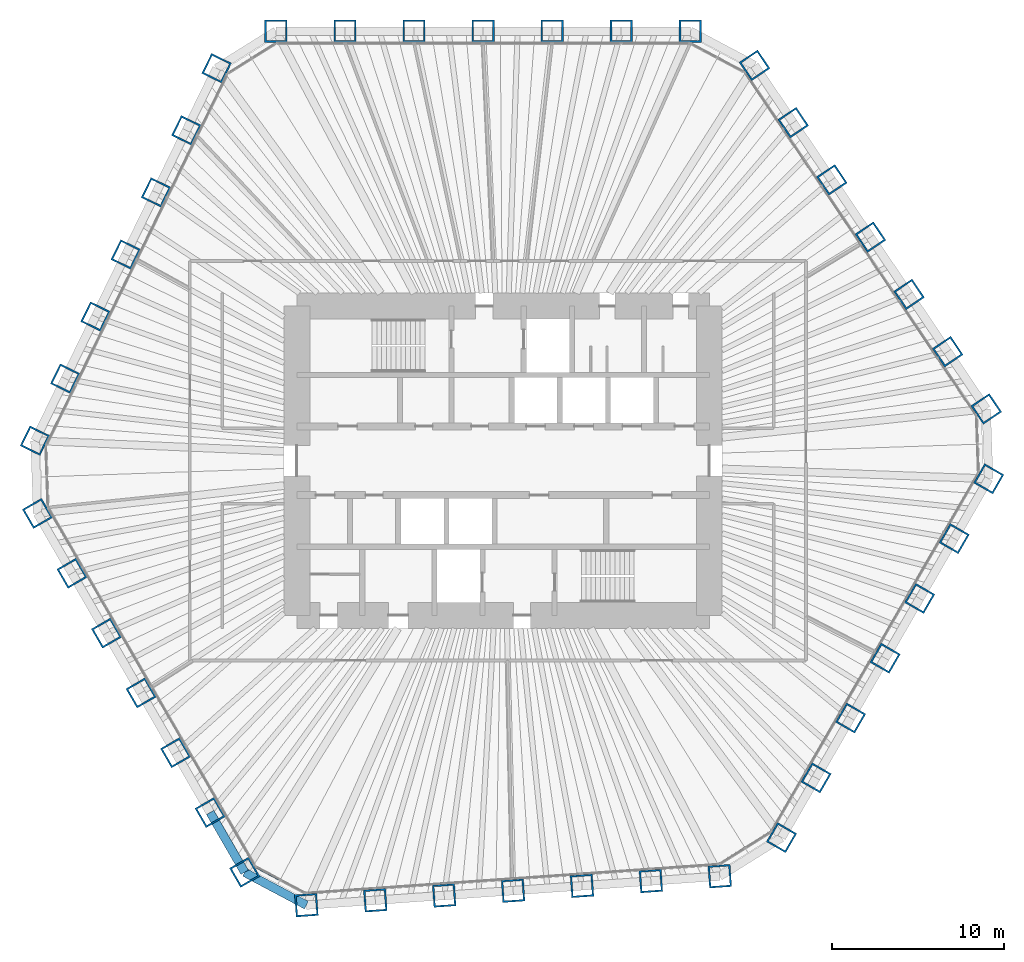
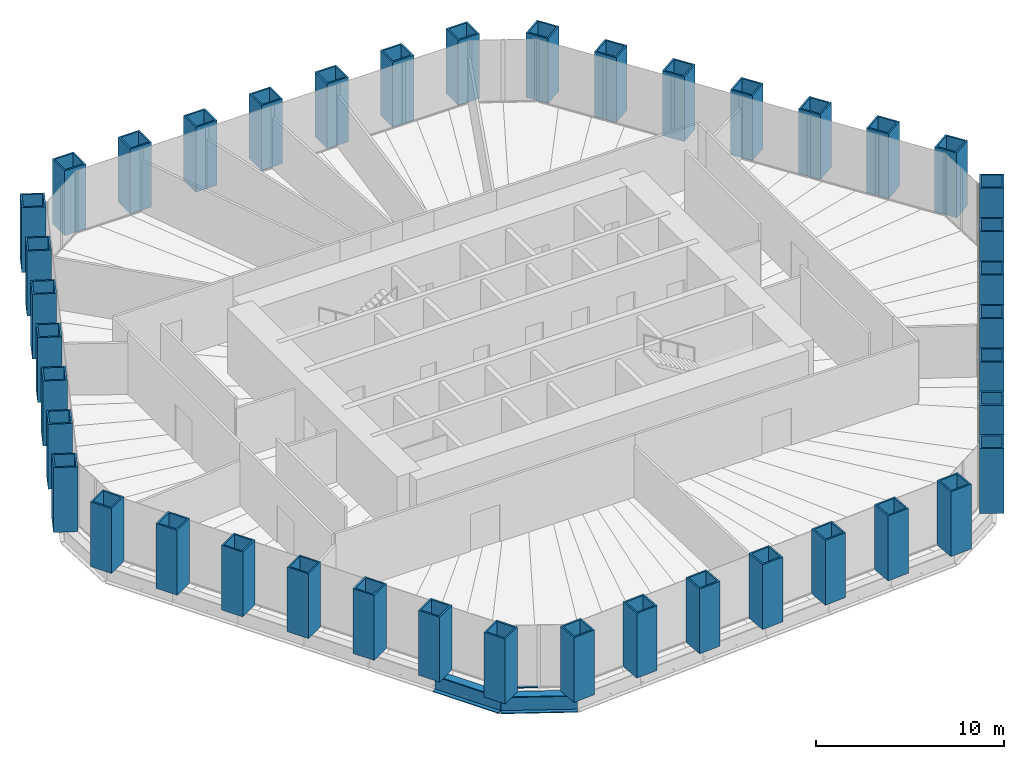
# One storey, part 1 of 13: 42 columns, 2 beams, 1 member, 1 element without a shape of its own.
"""IFC4 building model written with IfcOpenShell, lengths in metres."""

import ifcopenshell
import ifcopenshell.guid

model = None  # the IFC model being written
_history = None  # IfcOwnerHistory: only IFC2X3 demands one
_inside = {}  # id of a spatial element -> (the spatial element, [elements in it])
_under = {}  # id of a project, library or spatial element -> (it, [spatial elements below it])
_declared = {}  # id of a project -> (the project, [libraries it declares])
_typed = {}  # id of a type object -> (the type object, [elements of that type])
_made_of = {}  # id of a material, layer set ... -> (it, [elements and type objects made of it])


def new_model(schema):
    """Start an empty IFC model of exactly this schema.

    Asked for "IFC4X3", IfcOpenShell would pick the latest addendum, in which some entities
    have other attributes; the version numbers below select the first issue.
    IFC2X3 requires an IfcOwnerHistory on every rooted entity: one is made here for all.
    """
    global model, _history
    if schema == "IFC4X3":
        model = ifcopenshell.file(schema_version=(4, 3, 0, 0))
    else:
        model = ifcopenshell.file(schema=schema)
    _inside.clear()
    _under.clear()
    _declared.clear()
    _typed.clear()
    _made_of.clear()
    _history = None
    if model.schema == "IFC2X3":
        org = make("IfcOrganization", Name="unknown")
        user = make(
            "IfcPersonAndOrganization",
            ThePerson=make("IfcPerson", FamilyName="unknown"),
            TheOrganization=org,
        )
        app = make(
            "IfcApplication",
            ApplicationDeveloper=org,
            Version="unknown",
            ApplicationFullName="unknown",
            ApplicationIdentifier="unknown",
        )
        _history = make(
            "IfcOwnerHistory",
            OwningUser=user,
            OwningApplication=app,
            ChangeAction="ADDED",
            CreationDate=0,
        )
    return model


def make(cls, **values):
    """One entity of the class cls with the attributes given. An attribute that is None is left unset."""
    return model.create_entity(
        cls, **{name: value for name, value in values.items() if value is not None}
    )


def rooted(cls, **values):
    """An entity with a GlobalId (a new one), such as an element, a storey or a relation."""
    return make(cls, GlobalId=ifcopenshell.guid.new(), OwnerHistory=_history, **values)


def si_unit(unit_type, name, prefix=None):
    """IfcSIUnit, for example si_unit("LENGTHUNIT", "METRE", prefix="MILLI")."""
    return make("IfcSIUnit", UnitType=unit_type, Prefix=prefix, Name=name)


def assignment(units):
    """IfcUnitAssignment: the units of a project."""
    return None if units is None else make("IfcUnitAssignment", Units=units)


def point(xyz):
    """IfcCartesianPoint."""
    return None if xyz is None else make("IfcCartesianPoint", Coordinates=xyz)


def direction(xyz):
    """IfcDirection."""
    return None if xyz is None else make("IfcDirection", DirectionRatios=xyz)


def frame(location, z_axis=None, x_axis=None):
    """IfcAxis2Placement3D, a coordinate frame: its origin and axes. An axis left out is left unset."""
    return make(
        "IfcAxis2Placement3D",
        Location=point(location),
        Axis=direction(z_axis),
        RefDirection=direction(x_axis),
    )


def frame_2d(location, x_axis=None):
    """IfcAxis2Placement2D, a coordinate frame in the plane: its origin and x axis."""
    return make(
        "IfcAxis2Placement2D", Location=point(location), RefDirection=direction(x_axis)
    )


def origin():
    """The frame at (0, 0, 0) with its axes left unset."""
    return frame((0.0, 0.0, 0.0))


def origin_2d():
    """The frame at (0, 0) in the plane with its x axis left unset."""
    return frame_2d((0.0, 0.0))


def place(relative_to, where):
    """IfcLocalPlacement: puts the frame where relative to a parent placement (None: the world)."""
    return make(
        "IfcLocalPlacement", PlacementRelTo=relative_to, RelativePlacement=where
    )


def context(
    kind, dimensions, precision=None, world=None, true_north=None, identifier=None
):
    """IfcGeometricRepresentationContext, for example the 3D "Model" context."""
    return make(
        "IfcGeometricRepresentationContext",
        ContextIdentifier=identifier,
        ContextType=kind,
        CoordinateSpaceDimension=dimensions,
        Precision=precision,
        WorldCoordinateSystem=world,
        TrueNorth=true_north,
    )


def subcontext(parent, identifier, kind, view, scale=None):
    """IfcGeometricRepresentationSubContext, for example "Body" below "Model"."""
    return make(
        "IfcGeometricRepresentationSubContext",
        ContextIdentifier=identifier,
        ContextType=kind,
        ParentContext=parent,
        TargetScale=scale,
        TargetView=view,
    )


def project(units=None, contexts=None):
    """IfcProject with its units and contexts."""
    return rooted(
        "IfcProject",
        Name="project",
        RepresentationContexts=contexts,
        UnitsInContext=assignment(units),
    )


def spatial(cls, under=None, at=None, **own):
    """A site, building, storey or space (cls), placed at a placement, below another one or the project."""
    s = rooted(cls, ObjectPlacement=at, **own)
    if under is not None:
        _under.setdefault(under.id(), (under, []))[1].append(s)
    return s


def profile(cls, at=None, kind="AREA", **sizes):
    """A parametric profile (cls). Its sizes go by their IFC names, for example OverallWidth=200.0."""
    return make(cls, ProfileType=kind, Position=at, **sizes)


def rectangle(**sizes):
    """IfcRectangleProfileDef."""
    return profile("IfcRectangleProfileDef", **sizes)


def hollow_rectangle(**sizes):
    """IfcRectangleHollowProfileDef."""
    return profile("IfcRectangleHollowProfileDef", **sizes)


def i_section(**sizes):
    """IfcIShapeProfileDef."""
    return profile("IfcIShapeProfileDef", **sizes)


def extrude(swept, where, along, depth):
    """IfcExtrudedAreaSolid: the profile swept, set in the frame where, extruded along a direction by depth."""
    return make(
        "IfcExtrudedAreaSolid",
        SweptArea=swept,
        Position=where,
        ExtrudedDirection=direction(along),
        Depth=depth,
    )


def shape(context_of_items, identifier, shape_type, items):
    """IfcShapeRepresentation: the items that make up one representation, for example the "Body"."""
    return make(
        "IfcShapeRepresentation",
        ContextOfItems=context_of_items,
        RepresentationIdentifier=identifier,
        RepresentationType=shape_type,
        Items=items,
    )


def material(Name=None, Category=None):
    """IfcMaterial."""
    return make("IfcMaterial", Name=Name, Category=Category)


def material_profile(
    of_material, cross_section, Name=None, Category=None, Priority=None
):
    """IfcMaterialProfile: a cross section and its material."""
    return make(
        "IfcMaterialProfile",
        Name=Name,
        Material=of_material,
        Profile=cross_section,
        Priority=Priority,
        Category=Category,
    )


def profile_set(profiles, Name=None, composite=None):
    """IfcMaterialProfileSet."""
    return make(
        "IfcMaterialProfileSet",
        Name=Name,
        MaterialProfiles=profiles,
        CompositeProfile=composite,
    )


def made_of(thing, what):
    """Note that an element or type object is made of a material, layer set ...; save() writes the relation."""
    if what is not None:
        _made_of.setdefault(what.id(), (what, []))[1].append(thing)
    return thing


def type_object(cls, material=None, **own):
    """A type object (cls), such as IfcWallType, which elements share."""
    return made_of(rooted(cls, **own), material)


def element(
    cls,
    number,
    at=None,
    inside=None,
    cuts=None,
    type_object=None,
    material=None,
    context=None,
    identifier="Body",
    shape_type=None,
    held_by="IfcProductDefinitionShape",
    body=None,
    shapes=None,
    **own,
):
    """One element of the class cls, such as IfcWall. Its Tag is "e" and its number.

    at: its placement. inside: the storey or other place that contains it. cuts: it is an
    opening in that element (IfcRelVoidsElement). A single representation is given by context,
    identifier, shape_type and body (its items); several are given by shapes. held_by: the class
    of the entity that holds the representations. save() writes the other relations.
    """
    e = rooted(cls, Tag="e%d" % number, ObjectPlacement=at, **own)
    if body is not None:
        shapes = [shape(context, identifier, shape_type, body)]
    if shapes is not None:
        e.Representation = make(held_by, Representations=shapes)
    if inside is not None:
        _inside.setdefault(inside.id(), (inside, []))[1].append(e)
    if cuts is not None:
        rooted(
            "IfcRelVoidsElement", RelatingBuildingElement=cuts, RelatedOpeningElement=e
        )
    if type_object is not None:
        _typed.setdefault(type_object.id(), (type_object, []))[1].append(e)
    return made_of(e, material)


def aggregate(whole, parts):
    """IfcRelAggregates: a whole, such as a stair, and the parts it consists of."""
    return rooted("IfcRelAggregates", RelatingObject=whole, RelatedObjects=parts)


def save(model, path):
    """Write the relations noted so far, then the file.

    IfcRelAggregates (storeys below a building ...), IfcRelContainedInSpatialStructure (elements
    in a storey), IfcRelDefinesByType, IfcRelAssociatesMaterial and IfcRelDeclares: one each for
    every whole, place, type object, material and project.
    """
    for whole, parts in _under.values():
        aggregate(whole, parts)
    for where, things in _inside.values():
        rooted(
            "IfcRelContainedInSpatialStructure",
            RelatedElements=things,
            RelatingStructure=where,
        )
    for kind, things in _typed.values():
        rooted("IfcRelDefinesByType", RelatedObjects=things, RelatingType=kind)
    for what, things in _made_of.values():
        rooted("IfcRelAssociatesMaterial", RelatedObjects=things, RelatingMaterial=what)
    for by, libraries in _declared.values():
        rooted("IfcRelDeclares", RelatingContext=by, RelatedDefinitions=libraries)
    model.write(path)


model = new_model("IFC4")

# Units and contexts
model_context = context("Model", 3, precision=1e-05, world=origin(), true_north=direction((0.0, 1.0)))
body_context = subcontext(model_context, "Body", "Model", "MODEL_VIEW")
ifc_project = project(units=[si_unit("LENGTHUNIT", "METRE"), si_unit("AREAUNIT", "SQUARE_METRE"), si_unit("VOLUMEUNIT", "CUBIC_METRE"), si_unit("PLANEANGLEUNIT", "RADIAN"), si_unit("MASSUNIT", "GRAM", prefix="KILO")], contexts=[model_context])

# Site, building, storey
site_placement = place(None, origin())
site = spatial("IfcSite", under=ifc_project, at=site_placement, CompositionType="ELEMENT")
building_placement = place(site_placement, origin())
building = spatial("IfcBuilding", under=site, at=building_placement, Name="Qingtian Harvest Tower", CompositionType="ELEMENT")
storey_placement = place(building_placement, frame((0.0, 0.0, 145.0)))
storey = spatial("IfcBuildingStorey", under=building, at=storey_placement, Name="L30", CompositionType="ELEMENT", Elevation=145.0)

# Columns
ifc_material_1 = material(Name="Steel SM570MC", Category="steel")
ifc_material_profile_1 = material_profile(ifc_material_1, hollow_rectangle(XDim=1.300048828125, YDim=1.300048828125, WallThickness=0.10009765625, at=origin_2d()), Name="BOX1300x1300x100")
ifc_profile_set_1 = profile_set([ifc_material_profile_1], Name="Steel SM570MC")
column_type = type_object("IfcColumnType", Name="Tube column TC4 BOX1300x1300x100", PredefinedType="COLUMN", material=ifc_profile_set_1)
for number, where, z_axis, x_axis, name in (
    (1, (-13.2216796875, 25.0, 0.0), (0.0, 0.0, 1.0), (-1.0, 0.0, 0.0), "Tube column TC4 N0"),
    (2, (-9.20263671875, 25.0, 0.0), (0.0, 0.0, 1.0), (-1.0, 0.0, 0.0), "Tube column TC4 N1"),
    (3, (-5.18359375, 25.0, 0.0), (0.0, 0.0, 1.0), (-1.0, 0.0, 0.0), "Tube column TC4 N2"),
    (4, (-1.16455078125, 25.0, 0.0), (0.0, 0.0, 1.0), (-1.0, 0.0, 0.0), "Tube column TC4 N3"),
    (5, (2.8544921875, 25.0, 0.0), (0.0, 0.0, 1.0), (-1.0, 0.0, 0.0), "Tube column TC4 N4"),
    (6, (6.873779296875, 25.0, 0.0), (0.0, 0.0, 1.0), (-1.0, 0.0, 0.0), "Tube column TC4 N5"),
    (7, (10.892822265625, 25.0, 0.0), (0.0, 0.0, 1.0), (-1.0, 0.0, 0.0), "Tube column TC4 N6"),
    (8, (14.634765625, 23.01025390625, 0.0), (0.0, 0.0, 1.0), (-0.559192903471, 0.829037572555, 0.0), "Tube column TC4 NE0"),
    (9, (16.88232421875, 19.67822265625, 0.0), (0.0, 0.0, 1.0), (-0.559192903471, 0.829037572555, 0.0), "Tube column TC4 NE1"),
    (10, (19.129638671875, 16.346435546875, 0.0), (0.0, 0.0, 1.0), (-0.559192903471, 0.829037572555, 0.0), "Tube column TC4 NE2"),
    (11, (21.377197265625, 13.014404296875, 0.0), (0.0, 0.0, 1.0), (-0.559192903471, 0.829037572555, 0.0), "Tube column TC4 NE3"),
    (12, (23.62451171875, 9.682373046875, 0.0), (0.0, 0.0, 1.0), (-0.559192903471, 0.829037572555, 0.0), "Tube column TC4 NE4"),
    (13, (25.8720703125, 6.3505859375, 0.0), (0.0, 0.0, 1.0), (-0.559192903471, 0.829037572555, 0.0), "Tube column TC4 NE5"),
    (14, (28.119384765625, 3.0185546875, 0.0), (0.0, 0.0, 1.0), (-0.559192903471, 0.829037572555, 0.0), "Tube column TC4 NE6"),
    (15, (28.261474609375, -1.049560546875, 0.0), (0.0, 0.0, 1.0), (0.5, 0.866025403784, 0.0), "Tube column TC4 SE0"),
    (16, (26.251953125, -4.5302734375, 0.0), (0.0, 0.0, 1.0), (0.5, 0.866025403784, 0.0), "Tube column TC4 SE1"),
    (17, (24.242431640625, -8.010986328125, 0.0), (0.0, 0.0, 1.0), (0.5, 0.866025403784, 0.0), "Tube column TC4 SE2"),
    (18, (22.23291015625, -11.491455078125, 0.0), (0.0, 0.0, 1.0), (0.5, 0.866025403784, 0.0), "Tube column TC4 SE3"),
    (19, (20.223388671875, -14.97216796875, 0.0), (0.0, 0.0, 1.0), (0.5, 0.866025403784, 0.0), "Tube column TC4 SE4"),
    (20, (18.2138671875, -18.452880859375, 0.0), (0.0, 0.0, 1.0), (0.5, 0.866025403784, 0.0), "Tube column TC4 SE5"),
    (21, (16.204345703125, -21.933349609375, 0.0), (0.0, 0.0, 1.0), (0.5, 0.866025403784, 0.0), "Tube column TC4 SE6"),
    (22, (12.610107421875, -24.17919921875, 0.0), (0.0, 0.0, 1.0), (0.99756405026, 0.069756473744, 0.0), "Tube column TC4 S0"),
    (23, (8.600830078125, -24.459716796875, 0.0), (0.0, 0.0, 1.0), (0.99756405026, 0.069756473744, 0.0), "Tube column TC4 S1"),
    (24, (4.591552734375, -24.739990234375, 0.0), (0.0, 0.0, 1.0), (0.99756405026, 0.069756473744, 0.0), "Tube column TC4 S2"),
    (25, (0.582275390625, -25.020263671875, 0.0), (0.0, 0.0, 1.0), (0.99756405026, 0.069756473744, 0.0), "Tube column TC4 S3"),
    (26, (-3.427001953125, -25.30078125, 0.0), (0.0, 0.0, 1.0), (0.99756405026, 0.069756473744, 0.0), "Tube column TC4 S4"),
    (27, (-7.436279296875, -25.5810546875, 0.0), (0.0, 0.0, 1.0), (0.99756405026, 0.069756473744, 0.0), "Tube column TC4 S5"),
    (28, (-11.445556640625, -25.861328125, 0.0), (0.0, 0.0, 1.0), (0.99756405026, 0.069756473744, 0.0), "Tube column TC4 S6"),
    (29, (-15.039794921875, -23.950439453125, 0.0), (0.0, 0.0, 1.0), (0.5, -0.866025403784, 0.0), "Tube column TC4 SW0"),
    (30, (-17.04931640625, -20.4697265625, 0.0), (0.0, 0.0, 1.0), (0.5, -0.866025403784, 0.0), "Tube column TC4 SW1"),
    (31, (-19.058837890625, -16.989013671875, 0.0), (0.0, 0.0, 1.0), (0.5, -0.866025403784, 0.0), "Tube column TC4 SW2"),
    (32, (-21.068359375, -13.508544921875, 0.0), (0.0, 0.0, 1.0), (0.5, -0.866025403784, 0.0), "Tube column TC4 SW3"),
    (33, (-23.077880859375, -10.02783203125, 0.0), (0.0, 0.0, 1.0), (0.5, -0.866025403784, 0.0), "Tube column TC4 SW4"),
    (34, (-25.08740234375, -6.547119140625, 0.0), (0.0, 0.0, 1.0), (0.5, -0.866025403784, 0.0), "Tube column TC4 SW5"),
    (35, (-27.096923828125, -3.066650390625, 0.0), (0.0, 0.0, 1.0), (0.5, -0.866025403784, 0.0), "Tube column TC4 SW6"),
    (36, (-27.244873046875, 1.1689453125, 0.0), (0.0, 0.0, 1.0), (-0.438371146789, -0.898794046299, 0.0), "Tube column TC4 NW0"),
    (37, (-25.483154296875, 4.78125, 0.0), (0.0, 0.0, 1.0), (-0.438371146789, -0.898794046299, 0.0), "Tube column TC4 NW1"),
    (38, (-23.72119140625, 8.3935546875, 0.0), (0.0, 0.0, 1.0), (-0.438371146789, -0.898794046299, 0.0), "Tube column TC4 NW2"),
    (39, (-21.95947265625, 12.005859375, 0.0), (0.0, 0.0, 1.0), (-0.438371146789, -0.898794046299, 0.0), "Tube column TC4 NW3"),
    (40, (-20.197509765625, 15.6181640625, 0.0), (0.0, 0.0, 1.0), (-0.438371146789, -0.898794046299, 0.0), "Tube column TC4 NW4"),
    (41, (-18.435791015625, 19.23046875, 0.0), (0.0, 0.0, 1.0), (-0.438371146789, -0.898794046299, 0.0), "Tube column TC4 NW5"),
    (42, (-16.673828125, 22.8427734375, 0.0), (0.0, 0.0, 1.0), (-0.438371146789, -0.898794046299, 0.0), "Tube column TC4 NW6"),
):
    element("IfcColumn", number, at=place(storey_placement, frame(where, z_axis=z_axis, x_axis=x_axis)), inside=storey, type_object=column_type, Name=name, PredefinedType="COLUMN", context=body_context, shape_type="SweptSolid", body=[
        extrude(hollow_rectangle(XDim=1.300048828125, YDim=1.300048828125, WallThickness=0.10009765625, at=origin_2d()), origin(), (0.0, 0.0, 1.0), 4.199951171875),
    ])

# Beams
ifc_material_2 = material(Name="Steel SM570MC", Category="steel")
ifc_material_profile_2 = material_profile(ifc_material_2, i_section(OverallWidth=0.5, OverallDepth=1.10009765625, WebThickness=0.02490234375, FlangeThickness=0.050048828125, at=origin_2d()), Name="H1100x500x25x50")
ifc_profile_set_2 = profile_set([ifc_material_profile_2], Name="Steel SM570MC")
beam_type = type_object("IfcBeamType", Name="Spandrel beam SB2 H1100x500x25x50", PredefinedType="SPANDREL", material=ifc_profile_set_2)
beam_1_placement = place(storey_placement, frame((-11.445556640625, -25.861328125, -0.550048828125), z_axis=(-0.882968133669, 0.469432929101, 0.0), x_axis=(-0.469432929101, -0.882968133669, 0.0)))
element("IfcBeam", 43, at=beam_1_placement, inside=storey, type_object=beam_type, Name="Spandrel SB2 SC", PredefinedType="SPANDREL", context=body_context, shape_type="SweptSolid", body=[
    extrude(i_section(OverallWidth=0.5, OverallDepth=1.10009765625, WebThickness=0.02490234375, FlangeThickness=0.050048828125, at=origin_2d()), origin(), (0.0, 0.0, 1.0), 4.070556640625),
])
beam_2_placement = place(storey_placement, frame((-15.039794921875, -23.950439453125, -0.550048828125), z_axis=(-0.499987116613, 0.866032841884, 0.0), x_axis=(-0.866032841884, -0.499987116613, 0.0)))
element("IfcBeam", 44, at=beam_2_placement, inside=storey, type_object=beam_type, Name="Spandrel SB2 SW0", PredefinedType="SPANDREL", context=body_context, shape_type="SweptSolid", body=[
    extrude(i_section(OverallWidth=0.5, OverallDepth=1.10009765625, WebThickness=0.02490234375, FlangeThickness=0.050048828125, at=origin_2d()), origin(), (0.0, 0.0, 1.0), 4.01904296875),
])

# Curtain wall, member
ifc_material_3 = material(Name="Bronze-anodised aluminium curtain wall", Category="aluminium")
curtain_wall_type = type_object("IfcCurtainWallType", Name="Curtain wall CW4 office", PredefinedType="USERDEFINED", material=ifc_material_3)
curtain_wall_placement = place(storey_placement, origin())
curtain_wall = element("IfcCurtainWall", 45, at=curtain_wall_placement, inside=storey, type_object=curtain_wall_type, Name="Curtain wall CW4 L30 SC", ObjectType="RECESSED CURTAIN WALL", PredefinedType="USERDEFINED")
ifc_material_4 = material(Name="Bronze-anodised aluminium transom", Category="aluminium")
ifc_material_profile_3 = material_profile(ifc_material_4, rectangle(XDim=0.14990234375, YDim=0.06494140625, at=origin_2d()), Name="AL 65x150")
ifc_profile_set_3 = profile_set([ifc_material_profile_3], Name="Bronze-anodised aluminium transom")
member_type = type_object("IfcMemberType", Name="Transom CWT 65x150", PredefinedType="USERDEFINED", material=ifc_profile_set_3)
member_placement = place(storey_placement, frame((-12.99267578125, -24.366455078125, 0.032470703125), z_axis=(-0.882960338349, 0.46944759122, 0.0), x_axis=(-0.46944759122, -0.882960338349, 0.0)))
member = element("IfcMember", 46, at=member_placement, type_object=member_type, Name="CW4 transom 2.1", ObjectType="TRANSOM", PredefinedType="USERDEFINED", context=body_context, shape_type="SweptSolid", body=[
    extrude(rectangle(XDim=0.14990234375, YDim=0.06494140625, at=origin_2d()), origin(), (0.0, 0.0, 1.0), 1.56689453125),
])
aggregate(curtain_wall, [member])

save(model, "model.ifc")
